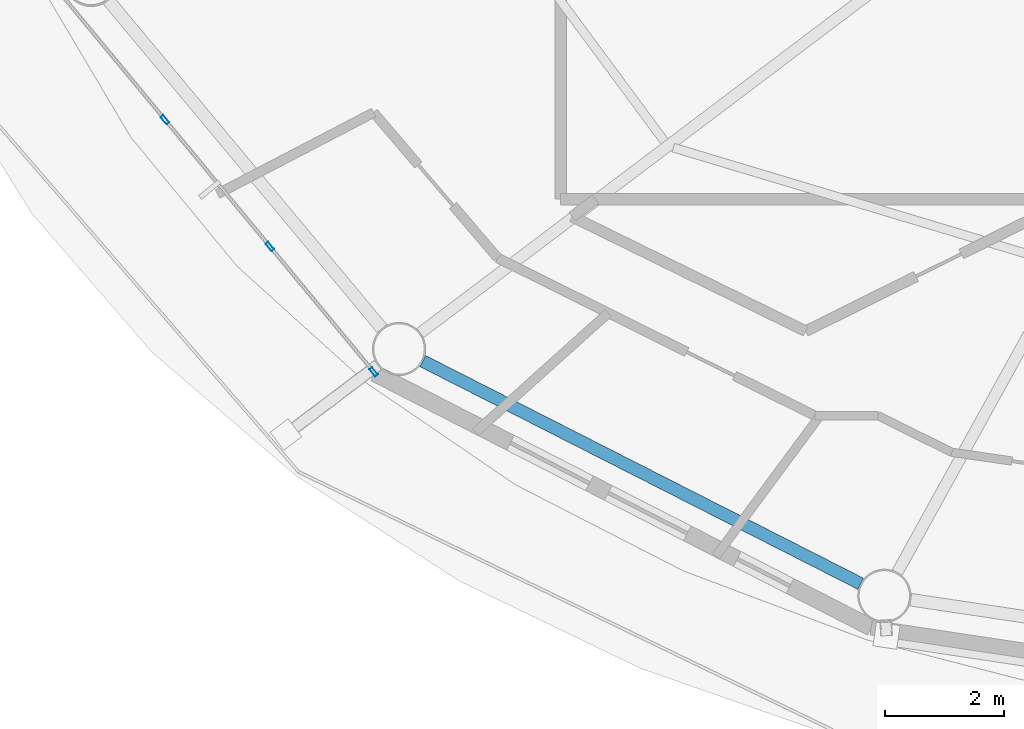
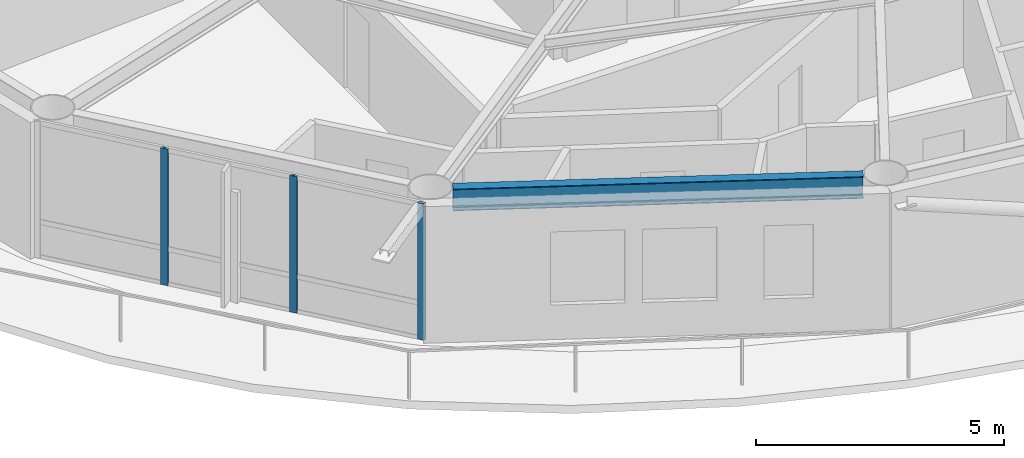
# One storey, part 2 of 23: 3 members, 1 beam, 1 element without a shape of its own.
"""IFC4 building model written with IfcOpenShell, lengths in metres."""

from ifc_helpers import new_model, si_unit, direction, frame, origin, origin_2d, place, context, subcontext, project, spatial, hollow_rectangle, i_section, extrude, material, layer, layer_set, material_profile, profile_set, type_object, element, aggregate, save


model = new_model("IFC4")

# Units and contexts
model_context = context("Model", 3, precision=1e-05, world=origin(), true_north=direction((0.0, 1.0)))
body_context = subcontext(model_context, "Body", "Model", "MODEL_VIEW")
ifc_project = project(units=[si_unit("LENGTHUNIT", "METRE"), si_unit("AREAUNIT", "SQUARE_METRE"), si_unit("VOLUMEUNIT", "CUBIC_METRE"), si_unit("PLANEANGLEUNIT", "RADIAN"), si_unit("MASSUNIT", "GRAM", prefix="KILO")], contexts=[model_context])

# Site, building, storey
site_placement = place(None, origin())
site = spatial("IfcSite", under=ifc_project, at=site_placement, CompositionType="ELEMENT")
building_placement = place(site_placement, origin())
building = spatial("IfcBuilding", under=site, at=building_placement, Name="Sarneth Arch Tower", CompositionType="ELEMENT")
storey_placement = place(building_placement, frame((0.0, 0.0, 224.39990234375)))
storey = spatial("IfcBuildingStorey", under=building, at=storey_placement, Name="L57", CompositionType="ELEMENT", Elevation=224.39990234375)

# Beam
ifc_material_1 = material(Name="Steel S355", Category="steel")
ifc_material_profile_1 = material_profile(ifc_material_1, i_section(OverallWidth=0.2109375, OverallDepth=0.5390625, WebThickness=0.01171875, FlangeThickness=0.018798828125, FilletRadius=0.01806640625, at=origin_2d()), Name="W530x109")
ifc_profile_set_1 = profile_set([ifc_material_profile_1], Name="Steel S355")
beam_type = type_object("IfcBeamType", Name="BM-RAD-530B", PredefinedType="BEAM", material=ifc_profile_set_1)
beam_placement = place(storey_placement, frame((30.42578125, 28.219482421875, 3.090576171875), z_axis=(0.891376248079, -0.453264144138, 0.0), x_axis=(0.453264144138, 0.891376248079, 0.0)))
element("IfcBeam", 1, at=beam_placement, inside=storey, type_object=beam_type, Name="L57 Perimeter spandrel beam 11", PredefinedType="BEAM", context=body_context, shape_type="SweptSolid", body=[
    extrude(i_section(OverallWidth=0.2109375, OverallDepth=0.5390625, WebThickness=0.01171875, FlangeThickness=0.018798828125, FilletRadius=0.01806640625, at=origin_2d()), origin(), (0.0, 0.0, 1.0), 8.281982421875),
])

# Curtain wall, members
ifc_material_2 = material(Name="Anodised aluminium Type AA25 and solar-control low-e laminated IGU", Category="aluminium")
ifc_layer = layer(ifc_material_2, 0.179931640625)
ifc_layer_set = layer_set([ifc_layer], Name="Anodised aluminium Type AA25 and solar-control low-e laminated IGU")
curtain_wall_type = type_object("IfcCurtainWallType", Name="CW-RES-HIGH", PredefinedType="NOTDEFINED", material=ifc_layer_set)
curtain_wall_placement = place(storey_placement, origin())
curtain_wall = element("IfcCurtainWall", 2, at=curtain_wall_placement, inside=storey, type_object=curtain_wall_type, Name="L57 Unitised curtain wall facet 10", PredefinedType="NOTDEFINED")
ifc_material_3 = material(Name="Anodised Aluminium 6063-T6", Category="aluminium")
ifc_material_profile_2 = material_profile(ifc_material_3, hollow_rectangle(XDim=0.06005859375, YDim=0.159912109375, WallThickness=0.00390625, at=origin_2d()), Name="AL-MULL-160x60x4")
ifc_profile_set_2 = profile_set([ifc_material_profile_2], Name="Anodised Aluminium 6063-T6")
member_type = type_object("IfcMemberType", Name="CW-MULLION", PredefinedType="MULLION", material=ifc_profile_set_2)
member_1_placement = place(storey_placement, frame((26.07666015625, 32.29150390625, 0.0), z_axis=(0.0, 0.0, 1.0), x_axis=(0.770359245933, 0.637610094184, 0.0)))
member_1 = element("IfcMember", 3, at=member_1_placement, type_object=member_type, Name="CW-SYS-6 mullion 2", PredefinedType="MULLION", context=body_context, shape_type="SweptSolid", body=[
    extrude(hollow_rectangle(XDim=0.06005859375, YDim=0.159912109375, WallThickness=0.00390625, at=origin_2d()), origin(), (0.0, 0.0, 1.0), 3.360107421875),
])
member_2_placement = place(storey_placement, frame((27.84716796875, 30.15234375, 0.0), z_axis=(0.0, 0.0, 1.0), x_axis=(0.770359245933, 0.637610094184, 0.0)))
member_2 = element("IfcMember", 4, at=member_2_placement, type_object=member_type, Name="CW-SYS-6 mullion 3", PredefinedType="MULLION", context=body_context, shape_type="SweptSolid", body=[
    extrude(hollow_rectangle(XDim=0.06005859375, YDim=0.159912109375, WallThickness=0.00390625, at=origin_2d()), origin(), (0.0, 0.0, 1.0), 3.360107421875),
])
member_3_placement = place(storey_placement, frame((29.598388671875, 28.03662109375, 0.0), z_axis=(0.0, 0.0, 1.0), x_axis=(0.770359245933, 0.637610094184, 0.0)))
member_3 = element("IfcMember", 5, at=member_3_placement, type_object=member_type, Name="CW-SYS-6 mullion 4", PredefinedType="MULLION", context=body_context, shape_type="SweptSolid", body=[
    extrude(hollow_rectangle(XDim=0.06005859375, YDim=0.159912109375, WallThickness=0.00390625, at=origin_2d()), origin(), (0.0, 0.0, 1.0), 3.360107421875),
])
aggregate(curtain_wall, [member_1, member_2, member_3])

save(model, "model.ifc")
